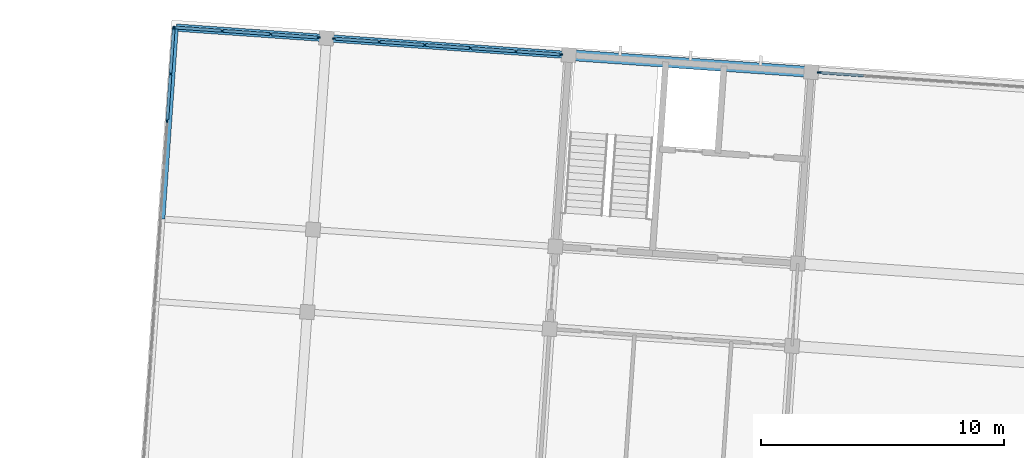
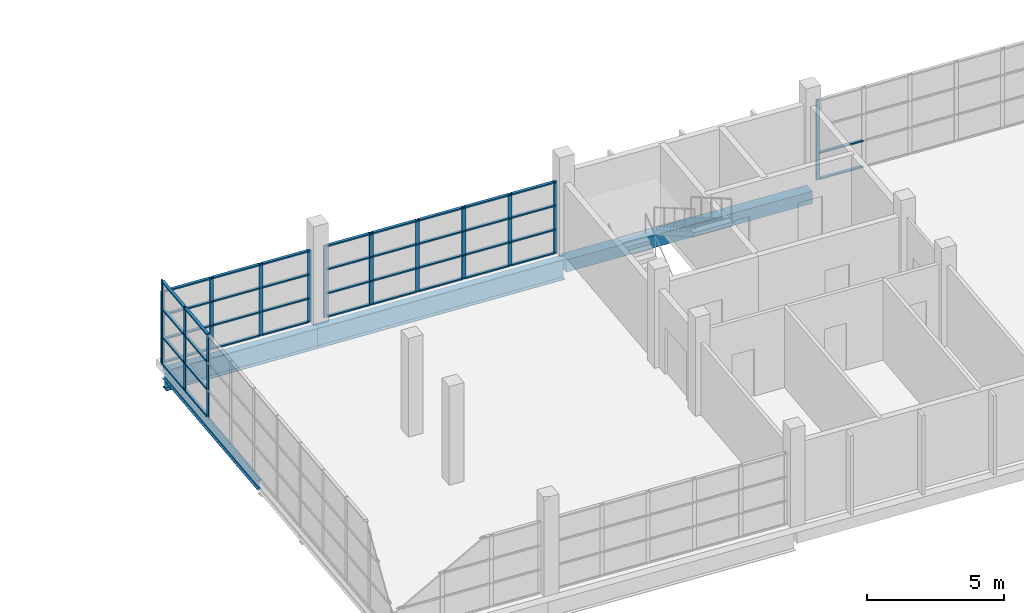
# One storey, part 47 of 115: 56 members, 4 beams, 4 elements without a shape of their own.
"""IFC4 building model written with IfcOpenShell, lengths in metres."""

from ifc_helpers import new_model, si_unit, direction, frame, origin, origin_2d, place, context, subcontext, project, spatial, rectangle, i_section, extrude, material, material_profile, profile_set, type_object, element, aggregate, save


model = new_model("IFC4")

# Units and contexts
model_context = context("Model", 3, precision=1e-05, world=origin(), true_north=direction((0.0, 1.0)))
body_context = subcontext(model_context, "Body", "Model", "MODEL_VIEW")
ifc_project = project(units=[si_unit("LENGTHUNIT", "METRE"), si_unit("AREAUNIT", "SQUARE_METRE"), si_unit("VOLUMEUNIT", "CUBIC_METRE"), si_unit("PLANEANGLEUNIT", "RADIAN"), si_unit("MASSUNIT", "GRAM", prefix="KILO")], contexts=[model_context])

# Site, building, storey
site_placement = place(None, origin())
site = spatial("IfcSite", under=ifc_project, at=site_placement, CompositionType="ELEMENT")
building_placement = place(site_placement, origin())
building = spatial("IfcBuilding", under=site, at=building_placement, Name="Windward Yard Aquatics Centre", CompositionType="ELEMENT")
storey_placement = place(building_placement, frame((0.0, 0.0, 5.0)))
storey = spatial("IfcBuildingStorey", under=building, at=storey_placement, Name="L01", CompositionType="ELEMENT", Elevation=5.0)

# Curtain wall, members
ifc_material_1 = material(Name="Aluminium curtain wall system", Category="aluminium")
curtain_wall_type = type_object("IfcCurtainWallType", Name="W curtain wall 1900", PredefinedType="NOTDEFINED", material=ifc_material_1)
curtain_wall_1_placement = place(storey_placement, origin())
curtain_wall_1 = element("IfcCurtainWall", 1, at=curtain_wall_1_placement, inside=storey, type_object=curtain_wall_type, Name="Wing north glazing L01 1", PredefinedType="NOTDEFINED")
ifc_material_2 = material(Name="Aluminium mullion", Category="aluminium")
ifc_material_profile_1 = material_profile(ifc_material_2, rectangle(XDim=0.06005859375, YDim=0.159912109375, at=origin_2d()), Name="AL 60x160")
ifc_profile_set_1 = profile_set([ifc_material_profile_1], Name="Aluminium mullion")
member_type_1 = type_object("IfcMemberType", Name="W CW mullion 60x160", PredefinedType="MULLION", material=ifc_profile_set_1)
member_1_placement = place(storey_placement, frame((102.94775390625, 136.455810546875, 0.0), z_axis=(0.0, 0.0, 1.0), x_axis=(0.069749849447, 0.997564513454, 0.0)))
member_1 = element("IfcMember", 2, at=member_1_placement, type_object=member_type_1, Name="WCW1 mullion 1", PredefinedType="MULLION", context=body_context, shape_type="SweptSolid", body=[
    extrude(rectangle(XDim=0.06005859375, YDim=0.159912109375, at=origin_2d()), origin(), (0.0, 0.0, 1.0), 3.2060546875),
])
member_2_placement = place(storey_placement, frame((104.9130859375, 136.318359375, 0.0), z_axis=(0.0, 0.0, 1.0), x_axis=(0.069749849447, 0.997564513454, 0.0)))
member_2 = element("IfcMember", 3, at=member_2_placement, type_object=member_type_1, Name="WCW1 mullion 2", PredefinedType="MULLION", context=body_context, shape_type="SweptSolid", body=[
    extrude(rectangle(XDim=0.06005859375, YDim=0.159912109375, at=origin_2d()), origin(), (0.0, 0.0, 1.0), 3.2060546875),
])
member_3_placement = place(storey_placement, frame((106.908203125, 136.1787109375, 0.0), z_axis=(0.0, 0.0, 1.0), x_axis=(0.069749849447, 0.997564513454, 0.0)))
member_3 = element("IfcMember", 4, at=member_3_placement, type_object=member_type_1, Name="WCW1 mullion 3", PredefinedType="MULLION", context=body_context, shape_type="SweptSolid", body=[
    extrude(rectangle(XDim=0.06005859375, YDim=0.159912109375, at=origin_2d()), origin(), (0.0, 0.0, 1.0), 3.2060546875),
])
member_4_placement = place(storey_placement, frame((108.873291015625, 136.04150390625, 0.0), z_axis=(0.0, 0.0, 1.0), x_axis=(0.069749849447, 0.997564513454, 0.0)))
member_4 = element("IfcMember", 5, at=member_4_placement, type_object=member_type_1, Name="WCW1 mullion 4", PredefinedType="MULLION", context=body_context, shape_type="SweptSolid", body=[
    extrude(rectangle(XDim=0.06005859375, YDim=0.159912109375, at=origin_2d()), origin(), (0.0, 0.0, 1.0), 3.2060546875),
])

curtain_wall_2_placement = place(storey_placement, origin())
curtain_wall_2 = element("IfcCurtainWall", 6, at=curtain_wall_2_placement, inside=storey, type_object=curtain_wall_type, Name="Wing north glazing L01 2", PredefinedType="NOTDEFINED")
member_5_placement = place(storey_placement, frame((109.53173828125, 135.995361328125, 0.0), z_axis=(0.0, 0.0, 1.0), x_axis=(0.069755340111, 0.997564129531, 0.0)))
member_5 = element("IfcMember", 7, at=member_5_placement, type_object=member_type_1, Name="WCW1 mullion 1", PredefinedType="MULLION", context=body_context, shape_type="SweptSolid", body=[
    extrude(rectangle(XDim=0.06005859375, YDim=0.159912109375, at=origin_2d()), origin(), (0.0, 0.0, 1.0), 3.2060546875),
])
member_6_placement = place(storey_placement, frame((111.377197265625, 135.8662109375, 0.0), z_axis=(0.0, 0.0, 1.0), x_axis=(0.069755340111, 0.997564129531, 0.0)))
member_6 = element("IfcMember", 8, at=member_6_placement, type_object=member_type_1, Name="WCW1 mullion 2", PredefinedType="MULLION", context=body_context, shape_type="SweptSolid", body=[
    extrude(rectangle(XDim=0.06005859375, YDim=0.159912109375, at=origin_2d()), origin(), (0.0, 0.0, 1.0), 3.2060546875),
])
member_7_placement = place(storey_placement, frame((113.252685546875, 135.735107421875, 0.0), z_axis=(0.0, 0.0, 1.0), x_axis=(0.069755340111, 0.997564129531, 0.0)))
member_7 = element("IfcMember", 9, at=member_7_placement, type_object=member_type_1, Name="WCW1 mullion 3", PredefinedType="MULLION", context=body_context, shape_type="SweptSolid", body=[
    extrude(rectangle(XDim=0.06005859375, YDim=0.159912109375, at=origin_2d()), origin(), (0.0, 0.0, 1.0), 3.2060546875),
])
member_8_placement = place(storey_placement, frame((115.128173828125, 135.60400390625, 0.0), z_axis=(0.0, 0.0, 1.0), x_axis=(0.069755340111, 0.997564129531, 0.0)))
member_8 = element("IfcMember", 10, at=member_8_placement, type_object=member_type_1, Name="WCW1 mullion 4", PredefinedType="MULLION", context=body_context, shape_type="SweptSolid", body=[
    extrude(rectangle(XDim=0.06005859375, YDim=0.159912109375, at=origin_2d()), origin(), (0.0, 0.0, 1.0), 3.2060546875),
])
member_9_placement = place(storey_placement, frame((117.00341796875, 135.472900390625, 0.0), z_axis=(0.0, 0.0, 1.0), x_axis=(0.069755340111, 0.997564129531, 0.0)))
member_9 = element("IfcMember", 11, at=member_9_placement, type_object=member_type_1, Name="WCW1 mullion 5", PredefinedType="MULLION", context=body_context, shape_type="SweptSolid", body=[
    extrude(rectangle(XDim=0.06005859375, YDim=0.159912109375, at=origin_2d()), origin(), (0.0, 0.0, 1.0), 3.2060546875),
])
member_10_placement = place(storey_placement, frame((118.848876953125, 135.34375, 0.0), z_axis=(0.0, 0.0, 1.0), x_axis=(0.069755340111, 0.997564129531, 0.0)))
member_10 = element("IfcMember", 12, at=member_10_placement, type_object=member_type_1, Name="WCW1 mullion 6", PredefinedType="MULLION", context=body_context, shape_type="SweptSolid", body=[
    extrude(rectangle(XDim=0.06005859375, YDim=0.159912109375, at=origin_2d()), origin(), (0.0, 0.0, 1.0), 3.2060546875),
])

# Curtain wall, member
curtain_wall_3_placement = place(storey_placement, origin())
curtain_wall_3 = element("IfcCurtainWall", 13, at=curtain_wall_3_placement, inside=storey, type_object=curtain_wall_type, Name="Wing north glazing L01 3", PredefinedType="NOTDEFINED")
member_11_placement = place(storey_placement, frame((129.48291015625, 134.60009765625, 0.0), z_axis=(0.0, 0.0, 1.0), x_axis=(0.069755340111, 0.997564129531, 0.0)))
member_11 = element("IfcMember", 14, at=member_11_placement, type_object=member_type_1, Name="WCW1 mullion 1", PredefinedType="MULLION", context=body_context, shape_type="SweptSolid", body=[
    extrude(rectangle(XDim=0.06005859375, YDim=0.159912109375, at=origin_2d()), origin(), (0.0, 0.0, 1.0), 3.570068359375),
])

# Curtain wall, members
curtain_wall_4_placement = place(storey_placement, origin())
curtain_wall_4 = element("IfcCurtainWall", 15, at=curtain_wall_4_placement, inside=storey, type_object=curtain_wall_type, Name="Wing west glazing L01 1", PredefinedType="NOTDEFINED")
member_12_placement = place(storey_placement, frame((102.650146484375, 132.627197265625, 0.0), z_axis=(0.0, 0.0, 1.0), x_axis=(-0.997564130771, 0.069755322369, 0.0)))
member_12 = element("IfcMember", 16, at=member_12_placement, type_object=member_type_1, Name="WCW1 mullion 9", PredefinedType="MULLION", context=body_context, shape_type="SweptSolid", body=[
    extrude(rectangle(XDim=0.06005859375, YDim=0.159912109375, at=origin_2d()), origin(), (0.0, 0.0, 1.0), 3.702880859375),
])
member_13_placement = place(storey_placement, frame((102.783935546875, 134.54248046875, 0.0), z_axis=(0.0, 0.0, 1.0), x_axis=(-0.997564130771, 0.069755322369, 0.0)))
member_13 = element("IfcMember", 17, at=member_13_placement, type_object=member_type_1, Name="WCW1 mullion 10", PredefinedType="MULLION", context=body_context, shape_type="SweptSolid", body=[
    extrude(rectangle(XDim=0.06005859375, YDim=0.159912109375, at=origin_2d()), origin(), (0.0, 0.0, 1.0), 3.702880859375),
])
member_14_placement = place(storey_placement, frame((102.915771484375, 136.427978515625, 0.0), z_axis=(0.0, 0.0, 1.0), x_axis=(-0.997564130771, 0.069755322369, 0.0)))
member_14 = element("IfcMember", 18, at=member_14_placement, type_object=member_type_1, Name="WCW1 mullion 11", PredefinedType="MULLION", context=body_context, shape_type="SweptSolid", body=[
    extrude(rectangle(XDim=0.06005859375, YDim=0.159912109375, at=origin_2d()), origin(), (0.0, 0.0, 1.0), 3.702880859375),
])

# Member
ifc_material_3 = material(Name="Aluminium transom", Category="aluminium")
ifc_material_profile_2 = material_profile(ifc_material_3, rectangle(XDim=0.1201171875, YDim=0.06005859375, at=origin_2d()), Name="AL 120x60")
ifc_profile_set_2 = profile_set([ifc_material_profile_2], Name="Aluminium transom")
member_type_2 = type_object("IfcMemberType", Name="W CW transom 120x60", PredefinedType="USERDEFINED", material=ifc_profile_set_2)
member_15_placement = place(storey_placement, frame((102.977783203125, 136.45361328125, 0.030029296875), z_axis=(0.997561459697, -0.069793510635, 0.0), x_axis=(0.069793510635, 0.997561459697, 0.0)))
member_15 = element("IfcMember", 19, at=member_15_placement, type_object=member_type_2, Name="WCW1 transom 1.1", ObjectType="TRANSOM", PredefinedType="USERDEFINED", context=body_context, shape_type="SweptSolid", body=[
    extrude(rectangle(XDim=0.1201171875, YDim=0.06005859375, at=origin_2d()), origin(), (0.0, 0.0, 1.0), 1.909912109375),
])

member_16_placement = place(storey_placement, frame((102.977783203125, 136.45361328125, 1.068603515625), z_axis=(0.997561459697, -0.069793510635, 0.0), x_axis=(0.069793510635, 0.997561459697, 0.0)))
member_16 = element("IfcMember", 20, at=member_16_placement, type_object=member_type_2, Name="WCW1 transom 1.2", ObjectType="TRANSOM", PredefinedType="USERDEFINED", context=body_context, shape_type="SweptSolid", body=[
    extrude(rectangle(XDim=0.1201171875, YDim=0.06005859375, at=origin_2d()), origin(), (0.0, 0.0, 1.0), 1.909912109375),
])

member_17_placement = place(storey_placement, frame((102.977783203125, 136.45361328125, 2.13720703125), z_axis=(0.997561459697, -0.069793510635, 0.0), x_axis=(0.069793510635, 0.997561459697, 0.0)))
member_17 = element("IfcMember", 21, at=member_17_placement, type_object=member_type_2, Name="WCW1 transom 1.3", ObjectType="TRANSOM", PredefinedType="USERDEFINED", context=body_context, shape_type="SweptSolid", body=[
    extrude(rectangle(XDim=0.1201171875, YDim=0.06005859375, at=origin_2d()), origin(), (0.0, 0.0, 1.0), 1.909912109375),
])

member_18_placement = place(storey_placement, frame((102.977783203125, 136.45361328125, 3.176025390625), z_axis=(0.997561459697, -0.069793510635, 0.0), x_axis=(0.069793510635, 0.997561459697, 0.0)))
member_18 = element("IfcMember", 22, at=member_18_placement, type_object=member_type_2, Name="WCW1 transom 1.4", ObjectType="TRANSOM", PredefinedType="USERDEFINED", context=body_context, shape_type="SweptSolid", body=[
    extrude(rectangle(XDim=0.1201171875, YDim=0.06005859375, at=origin_2d()), origin(), (0.0, 0.0, 1.0), 1.909912109375),
])

member_19_placement = place(storey_placement, frame((104.94287109375, 136.316162109375, 0.030029296875), z_axis=(0.997566762778, -0.06971767208, 0.0), x_axis=(0.06971767208, 0.997566762778, 0.0)))
member_19 = element("IfcMember", 23, at=member_19_placement, type_object=member_type_2, Name="WCW1 transom 2.1", ObjectType="TRANSOM", PredefinedType="USERDEFINED", context=body_context, shape_type="SweptSolid", body=[
    extrude(rectangle(XDim=0.1201171875, YDim=0.06005859375, at=origin_2d()), origin(), (0.0, 0.0, 1.0), 1.93994140625),
])

member_20_placement = place(storey_placement, frame((104.94287109375, 136.316162109375, 1.068603515625), z_axis=(0.997566762778, -0.06971767208, 0.0), x_axis=(0.06971767208, 0.997566762778, 0.0)))
member_20 = element("IfcMember", 24, at=member_20_placement, type_object=member_type_2, Name="WCW1 transom 2.2", ObjectType="TRANSOM", PredefinedType="USERDEFINED", context=body_context, shape_type="SweptSolid", body=[
    extrude(rectangle(XDim=0.1201171875, YDim=0.06005859375, at=origin_2d()), origin(), (0.0, 0.0, 1.0), 1.93994140625),
])

member_21_placement = place(storey_placement, frame((104.94287109375, 136.316162109375, 2.13720703125), z_axis=(0.997566762778, -0.06971767208, 0.0), x_axis=(0.06971767208, 0.997566762778, 0.0)))
member_21 = element("IfcMember", 25, at=member_21_placement, type_object=member_type_2, Name="WCW1 transom 2.3", ObjectType="TRANSOM", PredefinedType="USERDEFINED", context=body_context, shape_type="SweptSolid", body=[
    extrude(rectangle(XDim=0.1201171875, YDim=0.06005859375, at=origin_2d()), origin(), (0.0, 0.0, 1.0), 1.93994140625),
])

member_22_placement = place(storey_placement, frame((104.94287109375, 136.316162109375, 3.176025390625), z_axis=(0.997566762778, -0.06971767208, 0.0), x_axis=(0.06971767208, 0.997566762778, 0.0)))
member_22 = element("IfcMember", 26, at=member_22_placement, type_object=member_type_2, Name="WCW1 transom 2.4", ObjectType="TRANSOM", PredefinedType="USERDEFINED", context=body_context, shape_type="SweptSolid", body=[
    extrude(rectangle(XDim=0.1201171875, YDim=0.06005859375, at=origin_2d()), origin(), (0.0, 0.0, 1.0), 1.93994140625),
])

member_23_placement = place(storey_placement, frame((106.93798828125, 136.1767578125, 0.030029296875), z_axis=(0.99756208224, -0.069784612031, 0.0), x_axis=(0.069784612031, 0.99756208224, 0.0)))
member_23 = element("IfcMember", 27, at=member_23_placement, type_object=member_type_2, Name="WCW1 transom 3.1", ObjectType="TRANSOM", PredefinedType="USERDEFINED", context=body_context, shape_type="SweptSolid", body=[
    extrude(rectangle(XDim=0.1201171875, YDim=0.06005859375, at=origin_2d()), origin(), (0.0, 0.0, 1.0), 1.91015625),
])

member_24_placement = place(storey_placement, frame((106.93798828125, 136.1767578125, 1.068603515625), z_axis=(0.99756208224, -0.069784612031, 0.0), x_axis=(0.069784612031, 0.99756208224, 0.0)))
member_24 = element("IfcMember", 28, at=member_24_placement, type_object=member_type_2, Name="WCW1 transom 3.2", ObjectType="TRANSOM", PredefinedType="USERDEFINED", context=body_context, shape_type="SweptSolid", body=[
    extrude(rectangle(XDim=0.1201171875, YDim=0.06005859375, at=origin_2d()), origin(), (0.0, 0.0, 1.0), 1.91015625),
])

member_25_placement = place(storey_placement, frame((106.93798828125, 136.1767578125, 2.13720703125), z_axis=(0.99756208224, -0.069784612031, 0.0), x_axis=(0.069784612031, 0.99756208224, 0.0)))
member_25 = element("IfcMember", 29, at=member_25_placement, type_object=member_type_2, Name="WCW1 transom 3.3", ObjectType="TRANSOM", PredefinedType="USERDEFINED", context=body_context, shape_type="SweptSolid", body=[
    extrude(rectangle(XDim=0.1201171875, YDim=0.06005859375, at=origin_2d()), origin(), (0.0, 0.0, 1.0), 1.91015625),
])

member_26_placement = place(storey_placement, frame((106.93798828125, 136.1767578125, 3.176025390625), z_axis=(0.99756208224, -0.069784612031, 0.0), x_axis=(0.069784612031, 0.99756208224, 0.0)))
member_26 = element("IfcMember", 30, at=member_26_placement, type_object=member_type_2, Name="WCW1 transom 3.4", ObjectType="TRANSOM", PredefinedType="USERDEFINED", context=body_context, shape_type="SweptSolid", body=[
    extrude(rectangle(XDim=0.1201171875, YDim=0.06005859375, at=origin_2d()), origin(), (0.0, 0.0, 1.0), 1.91015625),
])

aggregate(curtain_wall_1, [member_1, member_2, member_3, member_4, member_15, member_16, member_17, member_18, member_19, member_20, member_21, member_22, member_23, member_24, member_25, member_26])

member_27_placement = place(storey_placement, frame((109.561767578125, 135.9931640625, 0.030029296875), z_axis=(0.997568269116, -0.069696115056, 0.0), x_axis=(0.069696115056, 0.997568269116, 0.0)))
member_27 = element("IfcMember", 31, at=member_27_placement, type_object=member_type_2, Name="WCW1 transom 1.1", ObjectType="TRANSOM", PredefinedType="USERDEFINED", context=body_context, shape_type="SweptSolid", body=[
    extrude(rectangle(XDim=0.1201171875, YDim=0.06005859375, at=origin_2d()), origin(), (0.0, 0.0, 1.0), 1.7900390625),
])

member_28_placement = place(storey_placement, frame((109.561767578125, 135.9931640625, 1.068603515625), z_axis=(0.997568269116, -0.069696115056, 0.0), x_axis=(0.069696115056, 0.997568269116, 0.0)))
member_28 = element("IfcMember", 32, at=member_28_placement, type_object=member_type_2, Name="WCW1 transom 1.2", ObjectType="TRANSOM", PredefinedType="USERDEFINED", context=body_context, shape_type="SweptSolid", body=[
    extrude(rectangle(XDim=0.1201171875, YDim=0.06005859375, at=origin_2d()), origin(), (0.0, 0.0, 1.0), 1.7900390625),
])

member_29_placement = place(storey_placement, frame((109.561767578125, 135.9931640625, 2.13720703125), z_axis=(0.997568269116, -0.069696115056, 0.0), x_axis=(0.069696115056, 0.997568269116, 0.0)))
member_29 = element("IfcMember", 33, at=member_29_placement, type_object=member_type_2, Name="WCW1 transom 1.3", ObjectType="TRANSOM", PredefinedType="USERDEFINED", context=body_context, shape_type="SweptSolid", body=[
    extrude(rectangle(XDim=0.1201171875, YDim=0.06005859375, at=origin_2d()), origin(), (0.0, 0.0, 1.0), 1.7900390625),
])

member_30_placement = place(storey_placement, frame((109.561767578125, 135.9931640625, 3.176025390625), z_axis=(0.997568269116, -0.069696115056, 0.0), x_axis=(0.069696115056, 0.997568269116, 0.0)))
member_30 = element("IfcMember", 34, at=member_30_placement, type_object=member_type_2, Name="WCW1 transom 1.4", ObjectType="TRANSOM", PredefinedType="USERDEFINED", context=body_context, shape_type="SweptSolid", body=[
    extrude(rectangle(XDim=0.1201171875, YDim=0.06005859375, at=origin_2d()), origin(), (0.0, 0.0, 1.0), 1.7900390625),
])

member_31_placement = place(storey_placement, frame((111.4072265625, 135.8642578125, 0.030029296875), z_axis=(0.997563824095, -0.069759707979, 0.0), x_axis=(0.069759707979, 0.997563824095, 0.0)))
member_31 = element("IfcMember", 35, at=member_31_placement, type_object=member_type_2, Name="WCW1 transom 2.1", ObjectType="TRANSOM", PredefinedType="USERDEFINED", context=body_context, shape_type="SweptSolid", body=[
    extrude(rectangle(XDim=0.1201171875, YDim=0.06005859375, at=origin_2d()), origin(), (0.0, 0.0, 1.0), 1.81982421875),
])

member_32_placement = place(storey_placement, frame((111.4072265625, 135.8642578125, 1.068603515625), z_axis=(0.997563824095, -0.069759707979, 0.0), x_axis=(0.069759707979, 0.997563824095, 0.0)))
member_32 = element("IfcMember", 36, at=member_32_placement, type_object=member_type_2, Name="WCW1 transom 2.2", ObjectType="TRANSOM", PredefinedType="USERDEFINED", context=body_context, shape_type="SweptSolid", body=[
    extrude(rectangle(XDim=0.1201171875, YDim=0.06005859375, at=origin_2d()), origin(), (0.0, 0.0, 1.0), 1.81982421875),
])

member_33_placement = place(storey_placement, frame((111.4072265625, 135.8642578125, 2.13720703125), z_axis=(0.997563824095, -0.069759707979, 0.0), x_axis=(0.069759707979, 0.997563824095, 0.0)))
member_33 = element("IfcMember", 37, at=member_33_placement, type_object=member_type_2, Name="WCW1 transom 2.3", ObjectType="TRANSOM", PredefinedType="USERDEFINED", context=body_context, shape_type="SweptSolid", body=[
    extrude(rectangle(XDim=0.1201171875, YDim=0.06005859375, at=origin_2d()), origin(), (0.0, 0.0, 1.0), 1.81982421875),
])

member_34_placement = place(storey_placement, frame((111.4072265625, 135.8642578125, 3.176025390625), z_axis=(0.997563824095, -0.069759707979, 0.0), x_axis=(0.069759707979, 0.997563824095, 0.0)))
member_34 = element("IfcMember", 38, at=member_34_placement, type_object=member_type_2, Name="WCW1 transom 2.4", ObjectType="TRANSOM", PredefinedType="USERDEFINED", context=body_context, shape_type="SweptSolid", body=[
    extrude(rectangle(XDim=0.1201171875, YDim=0.06005859375, at=origin_2d()), origin(), (0.0, 0.0, 1.0), 1.81982421875),
])

member_35_placement = place(storey_placement, frame((113.282470703125, 135.73291015625, 0.030029296875), z_axis=(0.99756447681, -0.06975037353, 0.0), x_axis=(0.06975037353, 0.99756447681, 0.0)))
member_35 = element("IfcMember", 39, at=member_35_placement, type_object=member_type_2, Name="WCW1 transom 3.1", ObjectType="TRANSOM", PredefinedType="USERDEFINED", context=body_context, shape_type="SweptSolid", body=[
    extrude(rectangle(XDim=0.1201171875, YDim=0.06005859375, at=origin_2d()), origin(), (0.0, 0.0, 1.0), 1.820068359375),
])

member_36_placement = place(storey_placement, frame((113.282470703125, 135.73291015625, 1.068603515625), z_axis=(0.99756447681, -0.06975037353, 0.0), x_axis=(0.06975037353, 0.99756447681, 0.0)))
member_36 = element("IfcMember", 40, at=member_36_placement, type_object=member_type_2, Name="WCW1 transom 3.2", ObjectType="TRANSOM", PredefinedType="USERDEFINED", context=body_context, shape_type="SweptSolid", body=[
    extrude(rectangle(XDim=0.1201171875, YDim=0.06005859375, at=origin_2d()), origin(), (0.0, 0.0, 1.0), 1.820068359375),
])

member_37_placement = place(storey_placement, frame((113.282470703125, 135.73291015625, 2.13720703125), z_axis=(0.99756447681, -0.06975037353, 0.0), x_axis=(0.06975037353, 0.99756447681, 0.0)))
member_37 = element("IfcMember", 41, at=member_37_placement, type_object=member_type_2, Name="WCW1 transom 3.3", ObjectType="TRANSOM", PredefinedType="USERDEFINED", context=body_context, shape_type="SweptSolid", body=[
    extrude(rectangle(XDim=0.1201171875, YDim=0.06005859375, at=origin_2d()), origin(), (0.0, 0.0, 1.0), 1.820068359375),
])

member_38_placement = place(storey_placement, frame((113.282470703125, 135.73291015625, 3.176025390625), z_axis=(0.99756447681, -0.06975037353, 0.0), x_axis=(0.06975037353, 0.99756447681, 0.0)))
member_38 = element("IfcMember", 42, at=member_38_placement, type_object=member_type_2, Name="WCW1 transom 3.4", ObjectType="TRANSOM", PredefinedType="USERDEFINED", context=body_context, shape_type="SweptSolid", body=[
    extrude(rectangle(XDim=0.1201171875, YDim=0.06005859375, at=origin_2d()), origin(), (0.0, 0.0, 1.0), 1.820068359375),
])

member_39_placement = place(storey_placement, frame((115.157958984375, 135.601806640625, 0.030029296875), z_axis=(0.99756447681, -0.06975037353, 0.0), x_axis=(0.06975037353, 0.99756447681, 0.0)))
member_39 = element("IfcMember", 43, at=member_39_placement, type_object=member_type_2, Name="WCW1 transom 4.1", ObjectType="TRANSOM", PredefinedType="USERDEFINED", context=body_context, shape_type="SweptSolid", body=[
    extrude(rectangle(XDim=0.1201171875, YDim=0.06005859375, at=origin_2d()), origin(), (0.0, 0.0, 1.0), 1.820068359375),
])

member_40_placement = place(storey_placement, frame((115.157958984375, 135.601806640625, 1.068603515625), z_axis=(0.99756447681, -0.06975037353, 0.0), x_axis=(0.06975037353, 0.99756447681, 0.0)))
member_40 = element("IfcMember", 44, at=member_40_placement, type_object=member_type_2, Name="WCW1 transom 4.2", ObjectType="TRANSOM", PredefinedType="USERDEFINED", context=body_context, shape_type="SweptSolid", body=[
    extrude(rectangle(XDim=0.1201171875, YDim=0.06005859375, at=origin_2d()), origin(), (0.0, 0.0, 1.0), 1.820068359375),
])

member_41_placement = place(storey_placement, frame((115.157958984375, 135.601806640625, 2.13720703125), z_axis=(0.99756447681, -0.06975037353, 0.0), x_axis=(0.06975037353, 0.99756447681, 0.0)))
member_41 = element("IfcMember", 45, at=member_41_placement, type_object=member_type_2, Name="WCW1 transom 4.3", ObjectType="TRANSOM", PredefinedType="USERDEFINED", context=body_context, shape_type="SweptSolid", body=[
    extrude(rectangle(XDim=0.1201171875, YDim=0.06005859375, at=origin_2d()), origin(), (0.0, 0.0, 1.0), 1.820068359375),
])

member_42_placement = place(storey_placement, frame((115.157958984375, 135.601806640625, 3.176025390625), z_axis=(0.99756447681, -0.06975037353, 0.0), x_axis=(0.06975037353, 0.99756447681, 0.0)))
member_42 = element("IfcMember", 46, at=member_42_placement, type_object=member_type_2, Name="WCW1 transom 4.4", ObjectType="TRANSOM", PredefinedType="USERDEFINED", context=body_context, shape_type="SweptSolid", body=[
    extrude(rectangle(XDim=0.1201171875, YDim=0.06005859375, at=origin_2d()), origin(), (0.0, 0.0, 1.0), 1.820068359375),
])

member_43_placement = place(storey_placement, frame((117.033447265625, 135.470703125, 0.030029296875), z_axis=(0.997568269116, -0.069696115056, 0.0), x_axis=(0.069696115056, 0.997568269116, 0.0)))
member_43 = element("IfcMember", 47, at=member_43_placement, type_object=member_type_2, Name="WCW1 transom 5.1", ObjectType="TRANSOM", PredefinedType="USERDEFINED", context=body_context, shape_type="SweptSolid", body=[
    extrude(rectangle(XDim=0.1201171875, YDim=0.06005859375, at=origin_2d()), origin(), (0.0, 0.0, 1.0), 1.7900390625),
])

member_44_placement = place(storey_placement, frame((117.033447265625, 135.470703125, 1.068603515625), z_axis=(0.997568269116, -0.069696115056, 0.0), x_axis=(0.069696115056, 0.997568269116, 0.0)))
member_44 = element("IfcMember", 48, at=member_44_placement, type_object=member_type_2, Name="WCW1 transom 5.2", ObjectType="TRANSOM", PredefinedType="USERDEFINED", context=body_context, shape_type="SweptSolid", body=[
    extrude(rectangle(XDim=0.1201171875, YDim=0.06005859375, at=origin_2d()), origin(), (0.0, 0.0, 1.0), 1.7900390625),
])

member_45_placement = place(storey_placement, frame((117.033447265625, 135.470703125, 2.13720703125), z_axis=(0.997568269116, -0.069696115056, 0.0), x_axis=(0.069696115056, 0.997568269116, 0.0)))
member_45 = element("IfcMember", 49, at=member_45_placement, type_object=member_type_2, Name="WCW1 transom 5.3", ObjectType="TRANSOM", PredefinedType="USERDEFINED", context=body_context, shape_type="SweptSolid", body=[
    extrude(rectangle(XDim=0.1201171875, YDim=0.06005859375, at=origin_2d()), origin(), (0.0, 0.0, 1.0), 1.7900390625),
])

member_46_placement = place(storey_placement, frame((117.033447265625, 135.470703125, 3.176025390625), z_axis=(0.997568269116, -0.069696115056, 0.0), x_axis=(0.069696115056, 0.997568269116, 0.0)))
member_46 = element("IfcMember", 50, at=member_46_placement, type_object=member_type_2, Name="WCW1 transom 5.4", ObjectType="TRANSOM", PredefinedType="USERDEFINED", context=body_context, shape_type="SweptSolid", body=[
    extrude(rectangle(XDim=0.1201171875, YDim=0.06005859375, at=origin_2d()), origin(), (0.0, 0.0, 1.0), 1.7900390625),
])

aggregate(curtain_wall_2, [member_5, member_6, member_7, member_8, member_9, member_10, member_27, member_28, member_29, member_30, member_31, member_32, member_33, member_34, member_35, member_36, member_37, member_38, member_39, member_40, member_41, member_42, member_43, member_44, member_45, member_46])

member_47_placement = place(storey_placement, frame((129.512939453125, 134.59814453125, 0.030029296875), z_axis=(0.997558777123, -0.069831842205, 0.0), x_axis=(0.069831842205, 0.997558777123, 0.0)))
member_47 = element("IfcMember", 51, at=member_47_placement, type_object=member_type_2, Name="WCW1 transom 1.1", ObjectType="TRANSOM", PredefinedType="USERDEFINED", context=body_context, shape_type="SweptSolid", body=[
    extrude(rectangle(XDim=0.1201171875, YDim=0.06005859375, at=origin_2d()), origin(), (0.0, 0.0, 1.0), 1.7900390625),
])

member_48_placement = place(storey_placement, frame((129.512939453125, 134.59814453125, 1.18994140625), z_axis=(0.997558777123, -0.069831842205, 0.0), x_axis=(0.069831842205, 0.997558777123, 0.0)))
member_48 = element("IfcMember", 52, at=member_48_placement, type_object=member_type_2, Name="WCW1 transom 1.2", ObjectType="TRANSOM", PredefinedType="USERDEFINED", context=body_context, shape_type="SweptSolid", body=[
    extrude(rectangle(XDim=0.1201171875, YDim=0.06005859375, at=origin_2d()), origin(), (0.0, 0.0, 1.0), 1.7900390625),
])

aggregate(curtain_wall_3, [member_11, member_47, member_48])

member_49_placement = place(storey_placement, frame((102.652099609375, 132.656982421875, 0.030029296875), z_axis=(0.0698291277, 0.997558967142, 0.0), x_axis=(-0.997558967142, 0.0698291277, 0.0)))
member_49 = element("IfcMember", 53, at=member_49_placement, type_object=member_type_2, Name="WCW1 transom 9.1", ObjectType="TRANSOM", PredefinedType="USERDEFINED", context=body_context, shape_type="SweptSolid", body=[
    extrude(rectangle(XDim=0.1201171875, YDim=0.06005859375, at=origin_2d()), origin(), (0.0, 0.0, 1.0), 1.860107421875),
])

member_50_placement = place(storey_placement, frame((102.652099609375, 132.656982421875, 1.234375), z_axis=(0.0698291277, 0.997558967142, 0.0), x_axis=(-0.997558967142, 0.0698291277, 0.0)))
member_50 = element("IfcMember", 54, at=member_50_placement, type_object=member_type_2, Name="WCW1 transom 9.2", ObjectType="TRANSOM", PredefinedType="USERDEFINED", context=body_context, shape_type="SweptSolid", body=[
    extrude(rectangle(XDim=0.1201171875, YDim=0.06005859375, at=origin_2d()), origin(), (0.0, 0.0, 1.0), 1.860107421875),
])

member_51_placement = place(storey_placement, frame((102.652099609375, 132.656982421875, 2.46875), z_axis=(0.0698291277, 0.997558967142, 0.0), x_axis=(-0.997558967142, 0.0698291277, 0.0)))
member_51 = element("IfcMember", 55, at=member_51_placement, type_object=member_type_2, Name="WCW1 transom 9.3", ObjectType="TRANSOM", PredefinedType="USERDEFINED", context=body_context, shape_type="SweptSolid", body=[
    extrude(rectangle(XDim=0.1201171875, YDim=0.06005859375, at=origin_2d()), origin(), (0.0, 0.0, 1.0), 1.860107421875),
])

member_52_placement = place(storey_placement, frame((102.652099609375, 132.656982421875, 3.673095703125), z_axis=(0.0698291277, 0.997558967142, 0.0), x_axis=(-0.997558967142, 0.0698291277, 0.0)))
member_52 = element("IfcMember", 56, at=member_52_placement, type_object=member_type_2, Name="WCW1 transom 9.4", ObjectType="TRANSOM", PredefinedType="USERDEFINED", context=body_context, shape_type="SweptSolid", body=[
    extrude(rectangle(XDim=0.1201171875, YDim=0.06005859375, at=origin_2d()), origin(), (0.0, 0.0, 1.0), 1.860107421875),
])

member_53_placement = place(storey_placement, frame((102.7861328125, 134.572509765625, 0.030029296875), z_axis=(0.069777348501, 0.997562590335, 0.0), x_axis=(-0.997562590335, 0.069777348501, 0.0)))
member_53 = element("IfcMember", 57, at=member_53_placement, type_object=member_type_2, Name="WCW1 transom 10.1", ObjectType="TRANSOM", PredefinedType="USERDEFINED", context=body_context, shape_type="SweptSolid", body=[
    extrude(rectangle(XDim=0.1201171875, YDim=0.06005859375, at=origin_2d()), origin(), (0.0, 0.0, 1.0), 1.829833984375),
])

member_54_placement = place(storey_placement, frame((102.7861328125, 134.572509765625, 1.234375), z_axis=(0.069777348501, 0.997562590335, 0.0), x_axis=(-0.997562590335, 0.069777348501, 0.0)))
member_54 = element("IfcMember", 58, at=member_54_placement, type_object=member_type_2, Name="WCW1 transom 10.2", ObjectType="TRANSOM", PredefinedType="USERDEFINED", context=body_context, shape_type="SweptSolid", body=[
    extrude(rectangle(XDim=0.1201171875, YDim=0.06005859375, at=origin_2d()), origin(), (0.0, 0.0, 1.0), 1.829833984375),
])

member_55_placement = place(storey_placement, frame((102.7861328125, 134.572509765625, 2.46875), z_axis=(0.069777348501, 0.997562590335, 0.0), x_axis=(-0.997562590335, 0.069777348501, 0.0)))
member_55 = element("IfcMember", 59, at=member_55_placement, type_object=member_type_2, Name="WCW1 transom 10.3", ObjectType="TRANSOM", PredefinedType="USERDEFINED", context=body_context, shape_type="SweptSolid", body=[
    extrude(rectangle(XDim=0.1201171875, YDim=0.06005859375, at=origin_2d()), origin(), (0.0, 0.0, 1.0), 1.829833984375),
])

member_56_placement = place(storey_placement, frame((102.7861328125, 134.572509765625, 3.673095703125), z_axis=(0.069777348501, 0.997562590335, 0.0), x_axis=(-0.997562590335, 0.069777348501, 0.0)))
member_56 = element("IfcMember", 60, at=member_56_placement, type_object=member_type_2, Name="WCW1 transom 10.4", ObjectType="TRANSOM", PredefinedType="USERDEFINED", context=body_context, shape_type="SweptSolid", body=[
    extrude(rectangle(XDim=0.1201171875, YDim=0.06005859375, at=origin_2d()), origin(), (0.0, 0.0, 1.0), 1.829833984375),
])

aggregate(curtain_wall_4, [member_12, member_13, member_14, member_49, member_50, member_51, member_52, member_53, member_54, member_55, member_56])

# Beams
ifc_material_4 = material(Name="Concrete C40/50", Category="concrete")
ifc_material_profile_3 = material_profile(ifc_material_4, rectangle(XDim=0.449951171875, YDim=0.550048828125, at=origin_2d()), Name="RC 450x550")
ifc_profile_set_3 = profile_set([ifc_material_profile_3], Name="Concrete C40/50")
beam_type_1 = type_object("IfcBeamType", Name="W RC 450x550 beam Concrete C40/50", PredefinedType="BEAM", material=ifc_profile_set_3)
beam_1_placement = place(storey_placement, frame((119.17822265625, 135.32080078125, -0.554931640625), z_axis=(0.997564406228, -0.069751382981, 0.0), x_axis=(0.069751382981, 0.997564406228, 0.0)))
element("IfcBeam", 61, at=beam_1_placement, inside=storey, type_object=beam_type_1, Name="W.BU.L01.4.2", PredefinedType="BEAM", context=body_context, shape_type="SweptSolid", body=[
    extrude(rectangle(XDim=0.449951171875, YDim=0.550048828125, at=origin_2d()), origin(), (0.0, 0.0, 1.0), 10.0),
])
ifc_material_5 = material(Name="Steel S355", Category="steel")
ifc_material_profile_4 = material_profile(ifc_material_5, i_section(OverallWidth=0.180908203125, OverallDepth=0.4169921875, WebThickness=0.010986328125, FlangeThickness=0.018310546875, at=origin_2d()), Name="W410x85")
ifc_profile_set_4 = profile_set([ifc_material_profile_4], Name="Steel S355")
beam_type_2 = type_object("IfcBeamType", Name="W W410x85 beam", PredefinedType="BEAM", material=ifc_profile_set_4)
beam_2_placement = place(storey_placement, frame((102.466552734375, 128.570068359375, -0.488525390625), z_axis=(0.069751320509, 0.997564410596, 0.0), x_axis=(-0.997564410596, 0.069751320509, 0.0)))
element("IfcBeam", 62, at=beam_2_placement, inside=storey, type_object=beam_type_2, Name="W.BT.L01.C", PredefinedType="BEAM", context=body_context, shape_type="SweptSolid", body=[
    extrude(i_section(OverallWidth=0.180908203125, OverallDepth=0.4169921875, WebThickness=0.010986328125, FlangeThickness=0.018310546875, at=origin_2d()), origin(), (0.0, 0.0, 1.0), 7.89990234375),
])
ifc_material_profile_5 = material_profile(ifc_material_5, i_section(OverallWidth=0.304931640625, OverallDepth=0.9140625, WebThickness=0.0166015625, FlangeThickness=0.02587890625, at=origin_2d()), Name="W920x238")
ifc_profile_set_5 = profile_set([ifc_material_profile_5], Name="Steel S355")
beam_type_3 = type_object("IfcBeamType", Name="W W920x238 beam", PredefinedType="BEAM", material=ifc_profile_set_5)
beam_3_placement = place(storey_placement, frame((103.017578125, 136.45068359375, -0.737060546875), z_axis=(0.997565299424, -0.069738607559, 0.0), x_axis=(0.069738607559, 0.997565299424, 0.0)))
element("IfcBeam", 63, at=beam_3_placement, inside=storey, type_object=beam_type_3, Name="W.BC.L01.4", PredefinedType="BEAM", context=body_context, shape_type="SweptSolid", body=[
    extrude(i_section(OverallWidth=0.304931640625, OverallDepth=0.9140625, WebThickness=0.0166015625, FlangeThickness=0.02587890625, at=origin_2d()), origin(), (0.0, 0.0, 1.0), 6.199951171875),
])
beam_4_placement = place(storey_placement, frame((109.202392578125, 136.018310546875, -0.737060546875), z_axis=(0.997564525005, -0.069749684245, 0.0), x_axis=(0.069749684245, 0.997564525005, 0.0)))
element("IfcBeam", 64, at=beam_4_placement, inside=storey, type_object=beam_type_3, Name="W.BB.L01.4", PredefinedType="BEAM", context=body_context, shape_type="SweptSolid", body=[
    extrude(i_section(OverallWidth=0.304931640625, OverallDepth=0.9140625, WebThickness=0.0166015625, FlangeThickness=0.02587890625, at=origin_2d()), origin(), (0.0, 0.0, 1.0), 10.000244140625),
])

save(model, "model.ifc")
